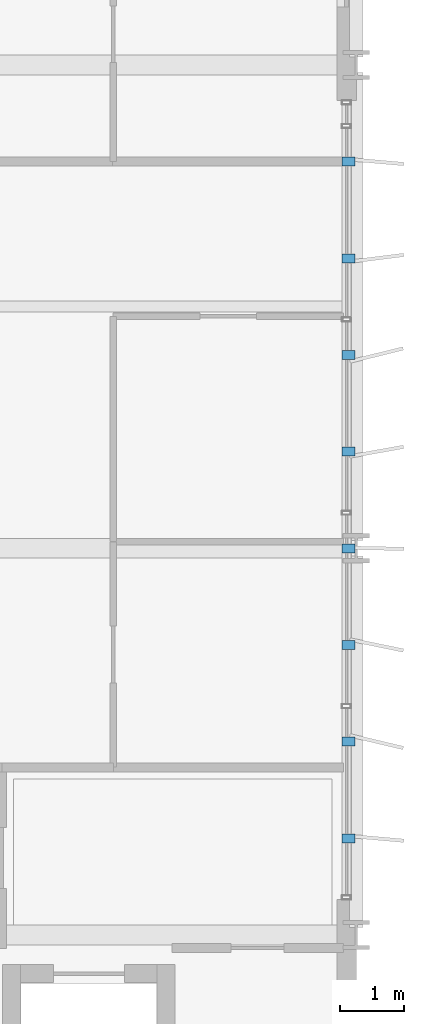
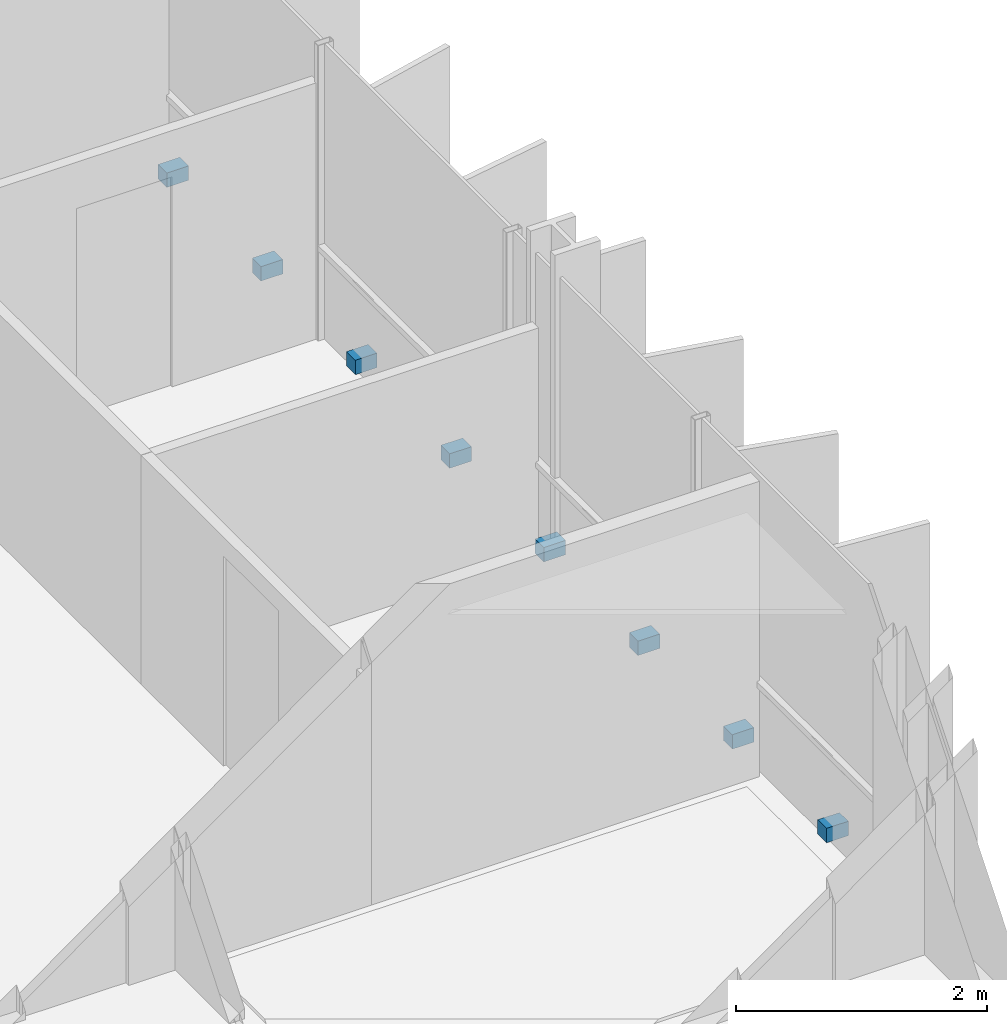
# One storey, part 34 of 38: 8 discrete accessories.
"""IFC4 building model written with IfcOpenShell, lengths in metres."""

from ifc_helpers import new_model, si_unit, direction, frame, origin, origin_2d, place, context, subcontext, project, spatial, rectangle, extrude, material, type_object, element, save


model = new_model("IFC4")

# Units and contexts
model_context = context("Model", 3, precision=1e-05, world=origin(), true_north=direction((0.0, 1.0)))
body_context = subcontext(model_context, "Body", "Model", "MODEL_VIEW")
ifc_project = project(units=[si_unit("LENGTHUNIT", "METRE"), si_unit("AREAUNIT", "SQUARE_METRE"), si_unit("VOLUMEUNIT", "CUBIC_METRE"), si_unit("PLANEANGLEUNIT", "RADIAN"), si_unit("MASSUNIT", "GRAM", prefix="KILO")], contexts=[model_context])

# Site, building, storey
site_placement = place(None, origin())
site = spatial("IfcSite", under=ifc_project, at=site_placement, CompositionType="ELEMENT")
building_placement = place(site_placement, origin())
building = spatial("IfcBuilding", under=site, at=building_placement, Name="Brevholm Reach", CompositionType="ELEMENT")
storey_placement = place(building_placement, frame((0.0, 0.0, 65.199951171875)))
storey = spatial("IfcBuildingStorey", under=building, at=storey_placement, Name="L18", CompositionType="ELEMENT", Elevation=65.199951171875)

# Discrete accessories
ifc_material = material(Name="Duplex Stainless Steel EN 1.4462", Category="steel")
discrete_accessory_type = type_object("IfcDiscreteAccessoryType", Name="ACC-BRK-01", PredefinedType="BRACKET", material=ifc_material)
for number, where, z_axis, x_axis, name in (
    (1, (59.8798828125, 11.5, 0.0302734375), (0.0, 0.0, 1.0), (1.0, 0.0, 0.0), "L18 Solar Screen Support Bracket 1"),
    (2, (59.8798828125, 13.0, 0.0302734375), (0.0, 0.0, 1.0), (1.0, 0.0, 0.0), "L18 Solar Screen Support Bracket 2"),
    (3, (59.8798828125, 14.5, 0.0302734375), (0.0, 0.0, 1.0), (1.0, 0.0, 0.0), "L18 Solar Screen Support Bracket 3"),
    (4, (59.8798828125, 16.0, 0.0302734375), (0.0, 0.0, 1.0), (1.0, 0.0, 0.0), "L18 Solar Screen Support Bracket 4"),
    (5, (59.8798828125, 17.5, 0.0302734375), (0.0, 0.0, 1.0), (1.0, 0.0, 0.0), "L18 Solar Screen Support Bracket 5"),
    (6, (59.8798828125, 19.0, 0.0302734375), (0.0, 0.0, 1.0), (1.0, 0.0, 0.0), "L18 Solar Screen Support Bracket 6"),
    (7, (59.8798828125, 20.5, 0.0302734375), (0.0, 0.0, 1.0), (1.0, 0.0, 0.0), "L18 Solar Screen Support Bracket 7"),
    (8, (59.8798828125, 22.0, 0.0302734375), (0.0, 0.0, 1.0), (1.0, 0.0, 0.0), "L18 Solar Screen Support Bracket 8"),
):
    element("IfcDiscreteAccessory", number, at=place(storey_placement, frame(where, z_axis=z_axis, x_axis=x_axis)), inside=storey, type_object=discrete_accessory_type, Name=name, PredefinedType="BRACKET", context=body_context, shape_type="SweptSolid", body=[
        extrude(rectangle(XDim=0.199951171875, YDim=0.139892578125, at=origin_2d()), origin(), (0.0, 0.0, 1.0), 0.139892578125),
    ])

save(model, "model.ifc")
